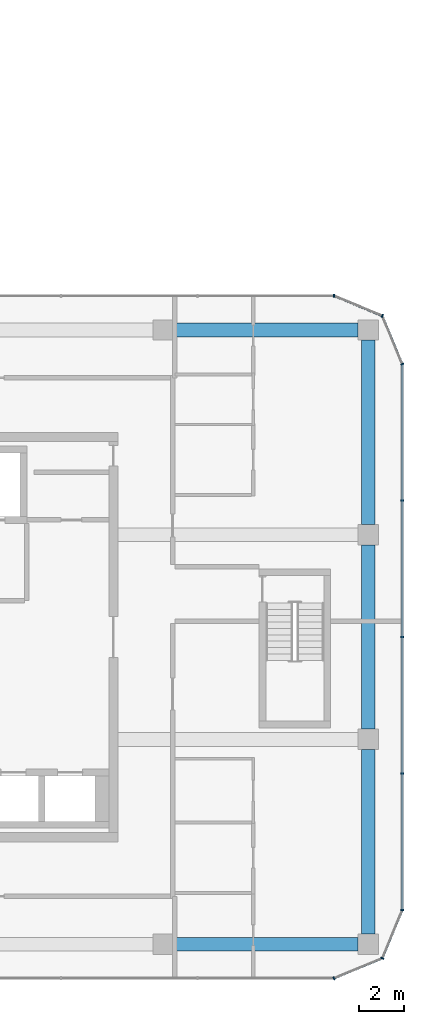
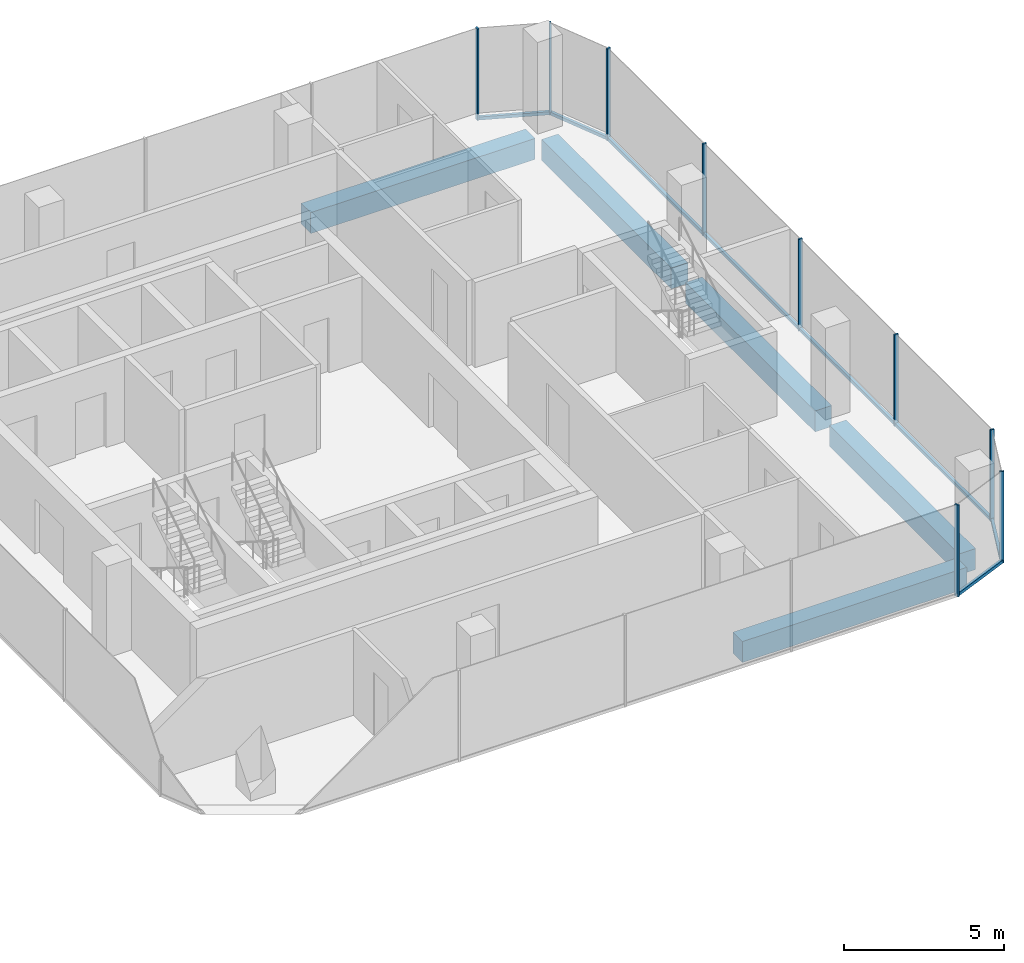
# One storey, part 10 of 22: 14 members, 5 beams, 6 elements without a shape of their own.
"""IFC4 building model written with IfcOpenShell, lengths in metres."""

from ifc_helpers import new_model, si_unit, direction, frame, origin, origin_2d, place, context, subcontext, project, spatial, rectangle, extrude, material, layer, layer_set, material_profile, profile_set, type_object, element, aggregate, save


model = new_model("IFC4")

# Units and contexts
model_context = context("Model", 3, precision=1e-05, world=origin(), true_north=direction((0.0, 1.0)))
body_context = subcontext(model_context, "Body", "Model", "MODEL_VIEW")
ifc_project = project(units=[si_unit("LENGTHUNIT", "METRE"), si_unit("AREAUNIT", "SQUARE_METRE"), si_unit("VOLUMEUNIT", "CUBIC_METRE"), si_unit("PLANEANGLEUNIT", "RADIAN"), si_unit("MASSUNIT", "GRAM", prefix="KILO")], contexts=[model_context])

# Site, building, storey
site_placement = place(None, origin())
site = spatial("IfcSite", under=ifc_project, at=site_placement, CompositionType="ELEMENT")
building_placement = place(site_placement, origin())
building = spatial("IfcBuilding", under=site, at=building_placement, Name="Plateau Cross Towers", CompositionType="ELEMENT")
storey_placement = place(building_placement, frame((0.0, 0.0, 99.300048828125)))
storey = spatial("IfcBuildingStorey", under=building, at=storey_placement, Name="L25", CompositionType="ELEMENT", Elevation=99.300048828125)

# Curtain wall, member
ifc_material_1 = material(Name="Dark low-iron glass", Category="glass")
ifc_layer = layer(ifc_material_1, 0.239990234375)
ifc_layer_set = layer_set([ifc_layer], Name="Dark low-iron glass")
curtain_wall_type = type_object("IfcCurtainWallType", Name="Curtain wall office unitised CW-F", PredefinedType="NOTDEFINED", material=ifc_layer_set)
curtain_wall_1_placement = place(storey_placement, origin())
curtain_wall_1 = element("IfcCurtainWall", 1, at=curtain_wall_1_placement, inside=storey, type_object=curtain_wall_type, Name="ENV/B/L25/B990_-60", PredefinedType="NOTDEFINED")
ifc_material_2 = material(Name="Black anodised aluminium", Category="aluminium")
ifc_material_profile_1 = material_profile(ifc_material_2, rectangle(XDim=0.06005859375, YDim=0.139892578125, at=origin_2d()), Name="MULLION 60x140")
ifc_profile_set_1 = profile_set([ifc_material_profile_1], Name="Black anodised aluminium")
member_type_1 = type_object("IfcMemberType", Name="Mullion 60x140 office unitised", PredefinedType="MULLION", material=ifc_profile_set_1)
member_1_placement = place(storey_placement, frame((99.0, -6.0, -0.25), z_axis=(0.0, 0.0, 1.0), x_axis=(0.923879457699, 0.382683612978, 0.0)))
member_1 = element("IfcMember", 2, at=member_1_placement, type_object=member_type_1, Name="CW-F mullion 1", PredefinedType="MULLION", context=body_context, shape_type="SweptSolid", body=[
    extrude(rectangle(XDim=0.06005859375, YDim=0.139892578125, at=origin_2d()), origin(), (0.0, 0.0, 1.0), 3.5),
])

curtain_wall_2_placement = place(storey_placement, origin())
curtain_wall_2 = element("IfcCurtainWall", 3, at=curtain_wall_2_placement, inside=storey, type_object=curtain_wall_type, Name="ENV/B/L25/B1011_-51", PredefinedType="NOTDEFINED")
member_2_placement = place(storey_placement, frame((101.121337890625, -5.121337890625, -0.25), z_axis=(0.0, 0.0, 1.0), x_axis=(0.382683612978, 0.923879457699, 0.0)))
member_2 = element("IfcMember", 4, at=member_2_placement, type_object=member_type_1, Name="CW-F mullion 1", PredefinedType="MULLION", context=body_context, shape_type="SweptSolid", body=[
    extrude(rectangle(XDim=0.06005859375, YDim=0.139892578125, at=origin_2d()), origin(), (0.0, 0.0, 1.0), 3.5),
])

# Curtain wall, members
curtain_wall_3_placement = place(storey_placement, origin())
curtain_wall_3 = element("IfcCurtainWall", 5, at=curtain_wall_3_placement, inside=storey, type_object=curtain_wall_type, Name="ENV/B/L25/B1020_-30", PredefinedType="NOTDEFINED")
member_3_placement = place(storey_placement, frame((102.0, -3.0, -0.25), z_axis=(0.0, 0.0, 1.0), x_axis=(0.0, 1.0, 0.0)))
member_3 = element("IfcMember", 6, at=member_3_placement, type_object=member_type_1, Name="CW-F mullion 1", PredefinedType="MULLION", context=body_context, shape_type="SweptSolid", body=[
    extrude(rectangle(XDim=0.06005859375, YDim=0.139892578125, at=origin_2d()), origin(), (0.0, 0.0, 1.0), 3.5),
])
member_4_placement = place(storey_placement, frame((102.0, 3.0, -0.25), z_axis=(0.0, 0.0, 1.0), x_axis=(0.0, 1.0, 0.0)))
member_4 = element("IfcMember", 7, at=member_4_placement, type_object=member_type_1, Name="CW-F mullion 2", PredefinedType="MULLION", context=body_context, shape_type="SweptSolid", body=[
    extrude(rectangle(XDim=0.06005859375, YDim=0.139892578125, at=origin_2d()), origin(), (0.0, 0.0, 1.0), 3.5),
])
member_5_placement = place(storey_placement, frame((102.0, 9.0, -0.25), z_axis=(0.0, 0.0, 1.0), x_axis=(0.0, 1.0, 0.0)))
member_5 = element("IfcMember", 8, at=member_5_placement, type_object=member_type_1, Name="CW-F mullion 3", PredefinedType="MULLION", context=body_context, shape_type="SweptSolid", body=[
    extrude(rectangle(XDim=0.06005859375, YDim=0.139892578125, at=origin_2d()), origin(), (0.0, 0.0, 1.0), 3.5),
])
member_6_placement = place(storey_placement, frame((102.0, 15.0, -0.25), z_axis=(0.0, 0.0, 1.0), x_axis=(0.0, 1.0, 0.0)))
member_6 = element("IfcMember", 9, at=member_6_placement, type_object=member_type_1, Name="CW-F mullion 4", PredefinedType="MULLION", context=body_context, shape_type="SweptSolid", body=[
    extrude(rectangle(XDim=0.06005859375, YDim=0.139892578125, at=origin_2d()), origin(), (0.0, 0.0, 1.0), 3.5),
])

# Curtain wall, member
curtain_wall_4_placement = place(storey_placement, origin())
curtain_wall_4 = element("IfcCurtainWall", 10, at=curtain_wall_4_placement, inside=storey, type_object=curtain_wall_type, Name="ENV/B/L25/B1020_210", PredefinedType="NOTDEFINED")
member_7_placement = place(storey_placement, frame((102.0, 21.0, -0.25), z_axis=(0.0, 0.0, 1.0), x_axis=(-0.382683612978, 0.923879457699, 0.0)))
member_7 = element("IfcMember", 11, at=member_7_placement, type_object=member_type_1, Name="CW-F mullion 1", PredefinedType="MULLION", context=body_context, shape_type="SweptSolid", body=[
    extrude(rectangle(XDim=0.06005859375, YDim=0.139892578125, at=origin_2d()), origin(), (0.0, 0.0, 1.0), 3.5),
])

curtain_wall_5_placement = place(storey_placement, origin())
curtain_wall_5 = element("IfcCurtainWall", 12, at=curtain_wall_5_placement, inside=storey, type_object=curtain_wall_type, Name="ENV/B/L25/B1011_231", PredefinedType="NOTDEFINED")
member_8_placement = place(storey_placement, frame((101.121337890625, 23.121337890625, -0.25), z_axis=(0.0, 0.0, 1.0), x_axis=(-0.923879457699, 0.382683612978, 0.0)))
member_8 = element("IfcMember", 13, at=member_8_placement, type_object=member_type_1, Name="CW-F mullion 1", PredefinedType="MULLION", context=body_context, shape_type="SweptSolid", body=[
    extrude(rectangle(XDim=0.06005859375, YDim=0.139892578125, at=origin_2d()), origin(), (0.0, 0.0, 1.0), 3.5),
])

curtain_wall_6_placement = place(storey_placement, origin())
curtain_wall_6 = element("IfcCurtainWall", 14, at=curtain_wall_6_placement, inside=storey, type_object=curtain_wall_type, Name="ENV/B/L25/B990_240", PredefinedType="NOTDEFINED")
member_9_placement = place(storey_placement, frame((99.0, 24.0, -0.25), z_axis=(0.0, 0.0, 1.0), x_axis=(-1.0, 0.0, 0.0)))
member_9 = element("IfcMember", 15, at=member_9_placement, type_object=member_type_1, Name="CW-F mullion 1", PredefinedType="MULLION", context=body_context, shape_type="SweptSolid", body=[
    extrude(rectangle(XDim=0.06005859375, YDim=0.139892578125, at=origin_2d()), origin(), (0.0, 0.0, 1.0), 3.5),
])
aggregate(curtain_wall_6, [member_9])

# Beams
ifc_material_3 = material(Name="Concrete C60/75", Category="concrete")
ifc_material_profile_2 = material_profile(ifc_material_3, rectangle(XDim=0.60009765625, YDim=0.800048828125, at=origin_2d()), Name="RC 600x800")
ifc_profile_set_2 = profile_set([ifc_material_profile_2], Name="Concrete C60/75")
beam_type = type_object("IfcBeamType", Name="Ring beam RC 600x800", PredefinedType="BEAM", material=ifc_profile_set_2)
for number, where, z_axis, x_axis, name in (
    (16, (91.949951171875, -4.5, -0.650146484375), (1.0, 0.0, 0.0), (0.0, 1.0, 0.0), "B-RB02@L25"),
    (17, (100.5, -4.050048828125, -0.650146484375), (0.0, 1.0, 0.0), (-1.0, 0.0, 0.0), "B-RB03@L25"),
    (18, (100.5, 4.949951171875, -0.650146484375), (0.0, 1.0, 0.0), (-1.0, 0.0, 0.0), "B-RB04@L25"),
    (19, (100.5, 13.949951171875, -0.650146484375), (0.0, 1.0, 0.0), (-1.0, 0.0, 0.0), "B-RB05@L25"),
    (20, (100.050048828125, 22.5, -0.650146484375), (-1.0, 0.0, 0.0), (0.0, -1.0, 0.0), "B-RB06@L25"),
):
    element("IfcBeam", number, at=place(storey_placement, frame(where, z_axis=z_axis, x_axis=x_axis)), inside=storey, type_object=beam_type, Name=name, PredefinedType="BEAM", context=body_context, shape_type="SweptSolid", body=[
        extrude(rectangle(XDim=0.60009765625, YDim=0.800048828125, at=origin_2d()), origin(), (0.0, 0.0, 1.0), 8.10009765625),
    ])

# Member
ifc_material_profile_3 = material_profile(ifc_material_2, rectangle(XDim=0.10009765625, YDim=0.1201171875, at=origin_2d()), Name="TRANSOM 100x120")
ifc_profile_set_3 = profile_set([ifc_material_profile_3], Name="Black anodised aluminium")
member_type_2 = type_object("IfcMemberType", Name="Transom 100x120 office unitised", PredefinedType="USERDEFINED", material=ifc_profile_set_3)
member_10_placement = place(storey_placement, frame((99.0, -6.0, -0.18994140625), z_axis=(0.923883353507, 0.382674207535, 0.0), x_axis=(-0.382674207535, 0.923883353507, 0.0)))
member_10 = element("IfcMember", 21, at=member_10_placement, type_object=member_type_2, Name="CW-F transom", ObjectType="TRANSOM", PredefinedType="USERDEFINED", context=body_context, shape_type="SweptSolid", body=[
    extrude(rectangle(XDim=0.10009765625, YDim=0.1201171875, at=origin_2d()), origin(), (0.0, 0.0, 1.0), 2.296142578125),
])

aggregate(curtain_wall_1, [member_1, member_10])

member_11_placement = place(storey_placement, frame((101.121337890625, -5.121337890625, -0.18994140625), z_axis=(0.382674207535, 0.923883353507, 0.0), x_axis=(-0.923883353507, 0.382674207535, 0.0)))
member_11 = element("IfcMember", 22, at=member_11_placement, type_object=member_type_2, Name="CW-F transom", ObjectType="TRANSOM", PredefinedType="USERDEFINED", context=body_context, shape_type="SweptSolid", body=[
    extrude(rectangle(XDim=0.10009765625, YDim=0.1201171875, at=origin_2d()), origin(), (0.0, 0.0, 1.0), 2.296142578125),
])

aggregate(curtain_wall_2, [member_2, member_11])

member_12_placement = place(storey_placement, frame((102.0, -3.0, -0.18994140625), z_axis=(0.0, 1.0, 0.0), x_axis=(-1.0, 0.0, 0.0)))
member_12 = element("IfcMember", 23, at=member_12_placement, type_object=member_type_2, Name="CW-F transom", ObjectType="TRANSOM", PredefinedType="USERDEFINED", context=body_context, shape_type="SweptSolid", body=[
    extrude(rectangle(XDim=0.10009765625, YDim=0.1201171875, at=origin_2d()), origin(), (0.0, 0.0, 1.0), 24.0),
])

aggregate(curtain_wall_3, [member_3, member_4, member_5, member_6, member_12])

member_13_placement = place(storey_placement, frame((102.0, 21.0, -0.18994140625), z_axis=(-0.382674207535, 0.923883353507, 0.0), x_axis=(-0.923883353507, -0.382674207535, 0.0)))
member_13 = element("IfcMember", 24, at=member_13_placement, type_object=member_type_2, Name="CW-F transom", ObjectType="TRANSOM", PredefinedType="USERDEFINED", context=body_context, shape_type="SweptSolid", body=[
    extrude(rectangle(XDim=0.10009765625, YDim=0.1201171875, at=origin_2d()), origin(), (0.0, 0.0, 1.0), 2.296142578125),
])

aggregate(curtain_wall_4, [member_7, member_13])

member_14_placement = place(storey_placement, frame((101.121337890625, 23.121337890625, -0.18994140625), z_axis=(-0.923883353507, 0.382674207535, 0.0), x_axis=(-0.382674207535, -0.923883353507, 0.0)))
member_14 = element("IfcMember", 25, at=member_14_placement, type_object=member_type_2, Name="CW-F transom", ObjectType="TRANSOM", PredefinedType="USERDEFINED", context=body_context, shape_type="SweptSolid", body=[
    extrude(rectangle(XDim=0.10009765625, YDim=0.1201171875, at=origin_2d()), origin(), (0.0, 0.0, 1.0), 2.296142578125),
])

aggregate(curtain_wall_5, [member_8, member_14])

save(model, "model.ifc")
